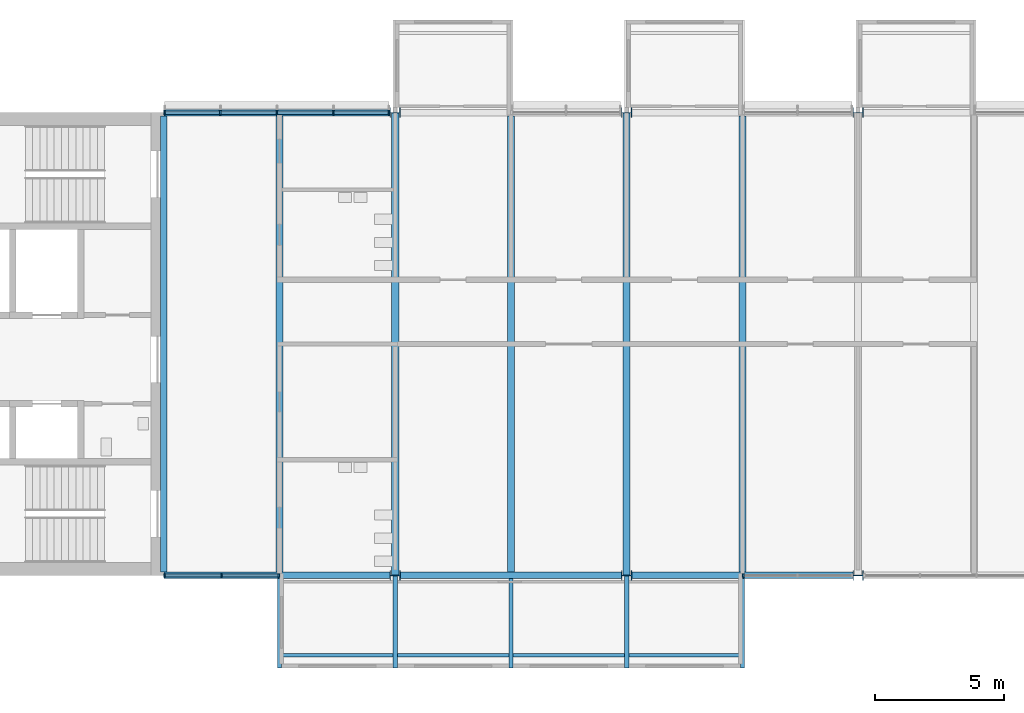
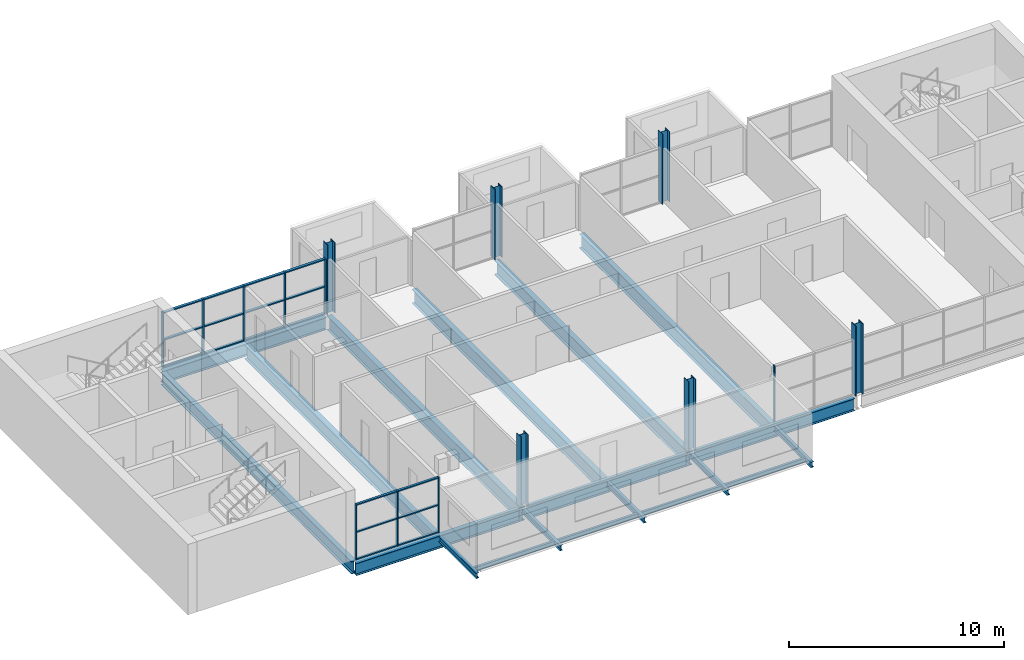
# One storey, part 1 of 11: 27 members, 19 beams, 6 columns, 3 elements without a shape of their own.
"""IFC4 building model written with IfcOpenShell, lengths in metres."""

from ifc_helpers import new_model, si_unit, direction, frame, origin, origin_2d, place, context, subcontext, project, spatial, rectangle, i_section, extrude, material, layer, layer_set, material_profile, profile_set, type_object, element, aggregate, save


model = new_model("IFC4")

# Units and contexts
model_context = context("Model", 3, precision=1e-05, world=origin(), true_north=direction((0.0, 1.0)))
body_context = subcontext(model_context, "Body", "Model", "MODEL_VIEW")
ifc_project = project(units=[si_unit("LENGTHUNIT", "METRE"), si_unit("AREAUNIT", "SQUARE_METRE"), si_unit("VOLUMEUNIT", "CUBIC_METRE"), si_unit("PLANEANGLEUNIT", "RADIAN"), si_unit("MASSUNIT", "GRAM", prefix="KILO")], contexts=[model_context])

# Site, building, storey
site_placement = place(None, origin())
site = spatial("IfcSite", under=ifc_project, at=site_placement, CompositionType="ELEMENT")
building_placement = place(site_placement, origin())
building = spatial("IfcBuilding", under=site, at=building_placement, Name="Corbel Yard City Hall", CompositionType="ELEMENT")
storey_placement = place(building_placement, frame((0.0, 0.0, 39.199951171875)))
storey = spatial("IfcBuildingStorey", under=building, at=storey_placement, Name="L09", CompositionType="ELEMENT", Elevation=39.199951171875)

# Columns
ifc_material_1 = material(Name="Steel Grade 350", Category="steel")
ifc_material_profile_1 = material_profile(ifc_material_1, i_section(OverallWidth=0.39990234375, OverallDepth=0.4140625, WebThickness=0.02490234375, FlangeThickness=0.031982421875, at=origin_2d()), Name="400WC270")
ifc_profile_set_1 = profile_set([ifc_material_profile_1], Name="Steel Grade 350")
column_type = type_object("IfcColumnType", Name="Column 400WC270", PredefinedType="COLUMN", material=ifc_profile_set_1)
for number, where, z_axis, x_axis, name in (
    (1, (18.0, 99.0, 0.0), (0.0, 0.0, 1.0), (0.0, 1.0, 0.0), "Column 400WC270 L/3 L09"),
    (2, (18.0, 117.0, 0.0), (0.0, 0.0, 1.0), (0.0, 1.0, 0.0), "Column 400WC270 N/3 L09"),
    (3, (27.0, 99.0, 0.0), (0.0, 0.0, 1.0), (0.0, 1.0, 0.0), "Column 400WC270 L/4 L09"),
    (4, (27.0, 117.0, 0.0), (0.0, 0.0, 1.0), (0.0, 1.0, 0.0), "Column 400WC270 N/4 L09"),
    (5, (36.0, 99.0, 0.0), (0.0, 0.0, 1.0), (0.0, 1.0, 0.0), "Column 400WC270 L/5 L09"),
    (6, (36.0, 117.0, 0.0), (0.0, 0.0, 1.0), (0.0, 1.0, 0.0), "Column 400WC270 N/5 L09"),
):
    element("IfcColumn", number, at=place(storey_placement, frame(where, z_axis=z_axis, x_axis=x_axis)), inside=storey, type_object=column_type, Name=name, PredefinedType="COLUMN", context=body_context, shape_type="SweptSolid", body=[
        extrude(i_section(OverallWidth=0.39990234375, OverallDepth=0.4140625, WebThickness=0.02490234375, FlangeThickness=0.031982421875, at=origin_2d()), origin(), (0.0, 0.0, 1.0), 4.0),
    ])

# Beams
ifc_material_profile_2 = material_profile(ifc_material_1, i_section(OverallWidth=0.25, OverallDepth=0.699951171875, WebThickness=0.010009765625, FlangeThickness=0.02001953125, at=origin_2d()), Name="700WB130")
ifc_profile_set_2 = profile_set([ifc_material_profile_2], Name="Steel Grade 350")
beam_type_1 = type_object("IfcBeamType", Name="Edge beam 700WB130", PredefinedType="BEAM", material=ifc_profile_set_2)
beam_1_placement = place(storey_placement, frame((9.0, 99.0, -0.5), z_axis=(1.0, 0.0, 0.0), x_axis=(0.0, 1.0, 0.0)))
element("IfcBeam", 7, at=beam_1_placement, inside=storey, type_object=beam_type_1, Name="Edge beam 700WB130 EB9 L09tower", PredefinedType="BEAM", context=body_context, shape_type="SweptSolid", body=[
    extrude(i_section(OverallWidth=0.25, OverallDepth=0.699951171875, WebThickness=0.010009765625, FlangeThickness=0.02001953125, at=origin_2d()), origin(), (0.0, 0.0, 1.0), 8.79296875),
])
for number, where, z_axis, x_axis, name in (
    (8, (18.20703125, 99.0, -0.5), (1.0, 0.0, 0.0), (0.0, 1.0, 0.0), "Edge beam 700WB130 EB9 L09tower"),
    (9, (27.20703125, 99.0, -0.5), (1.0, 0.0, 0.0), (0.0, 1.0, 0.0), "Edge beam 700WB130 EB9 L09tower"),
):
    element("IfcBeam", number, at=place(storey_placement, frame(where, z_axis=z_axis, x_axis=x_axis)), inside=storey, type_object=beam_type_1, Name=name, PredefinedType="BEAM", context=body_context, shape_type="SweptSolid", body=[
        extrude(i_section(OverallWidth=0.25, OverallDepth=0.699951171875, WebThickness=0.010009765625, FlangeThickness=0.02001953125, at=origin_2d()), origin(), (0.0, 0.0, 1.0), 8.5859375),
    ])
beam_2_placement = place(storey_placement, frame((9.0, 117.0, -0.5), z_axis=(1.0, 0.0, 0.0), x_axis=(0.0, 1.0, 0.0)))
element("IfcBeam", 10, at=beam_2_placement, inside=storey, type_object=beam_type_1, Name="Edge beam 700WB130 EB9 L09tower", PredefinedType="BEAM", context=body_context, shape_type="SweptSolid", body=[
    extrude(i_section(OverallWidth=0.25, OverallDepth=0.699951171875, WebThickness=0.010009765625, FlangeThickness=0.02001953125, at=origin_2d()), origin(), (0.0, 0.0, 1.0), 8.79296875),
])
ifc_material_profile_3 = material_profile(ifc_material_1, i_section(OverallWidth=0.27490234375, OverallDepth=0.800048828125, WebThickness=0.010009765625, FlangeThickness=0.02001953125, at=origin_2d()), Name="800WB146")
ifc_profile_set_3 = profile_set([ifc_material_profile_3], Name="Steel Grade 350")
beam_type_2 = type_object("IfcBeamType", Name="Long-span beam 800WB146", PredefinedType="BEAM", material=ifc_profile_set_3)
for number, where, z_axis, x_axis, name in (
    (11, (18.0, 99.012451171875, -0.550048828125), (0.0, 1.0, 0.0), (-1.0, 0.0, 0.0), "Long-span beam 800WB146 SB8 L09tower"),
    (12, (27.0, 99.012451171875, -0.550048828125), (0.0, 1.0, 0.0), (-1.0, 0.0, 0.0), "Long-span beam 800WB146 SB8 L09tower"),
):
    element("IfcBeam", number, at=place(storey_placement, frame(where, z_axis=z_axis, x_axis=x_axis)), inside=storey, type_object=beam_type_2, Name=name, PredefinedType="BEAM", context=body_context, shape_type="SweptSolid", body=[
        extrude(i_section(OverallWidth=0.27490234375, OverallDepth=0.800048828125, WebThickness=0.010009765625, FlangeThickness=0.02001953125, at=origin_2d()), origin(), (0.0, 0.0, 1.0), 17.97509765625),
    ])
ifc_material_profile_4 = material_profile(ifc_material_1, i_section(OverallWidth=0.25, OverallDepth=0.7099609375, WebThickness=0.010009765625, FlangeThickness=0.02490234375, at=origin_2d()), Name="700WB150")
ifc_profile_set_4 = profile_set([ifc_material_profile_4], Name="Steel Grade 350")
beam_type_3 = type_object("IfcBeamType", Name="Long-span edge beam 700WB150", PredefinedType="BEAM", material=ifc_profile_set_4)
beam_3_placement = place(storey_placement, frame((9.0, 99.125, -0.5048828125), z_axis=(0.0, 1.0, 0.0), x_axis=(-1.0, 0.0, 0.0)))
element("IfcBeam", 13, at=beam_3_placement, inside=storey, type_object=beam_type_3, Name="Long-span edge beam 700WB150 EB8 L09tower", PredefinedType="BEAM", context=body_context, shape_type="SweptSolid", body=[
    extrude(i_section(OverallWidth=0.25, OverallDepth=0.7099609375, WebThickness=0.010009765625, FlangeThickness=0.02490234375, at=origin_2d()), origin(), (0.0, 0.0, 1.0), 17.75),
])
ifc_material_profile_5 = material_profile(ifc_material_1, i_section(OverallWidth=0.27490234375, OverallDepth=0.800048828125, WebThickness=0.010009765625, FlangeThickness=0.02001953125, at=origin_2d()), Name="800WB146")
ifc_profile_set_5 = profile_set([ifc_material_profile_5], Name="Steel Grade 350")
beam_type_4 = type_object("IfcBeamType", Name="Long-span secondary beam 800WB146", PredefinedType="JOIST", material=ifc_profile_set_5)
for number, where, z_axis, x_axis, name in (
    (14, (13.5, 99.125, -0.550048828125), (0.0, 1.0, 0.0), (-1.0, 0.0, 0.0), "Long-span secondary beam 800WB146 SB7 L09tower"),
    (15, (22.5, 99.125, -0.550048828125), (0.0, 1.0, 0.0), (-1.0, 0.0, 0.0), "Long-span secondary beam 800WB146 SB7 L09tower"),
    (16, (31.5, 99.125, -0.550048828125), (0.0, 1.0, 0.0), (-1.0, 0.0, 0.0), "Long-span secondary beam 800WB146 SB7 L09tower"),
):
    element("IfcBeam", number, at=place(storey_placement, frame(where, z_axis=z_axis, x_axis=x_axis)), inside=storey, type_object=beam_type_4, Name=name, PredefinedType="JOIST", context=body_context, shape_type="SweptSolid", body=[
        extrude(i_section(OverallWidth=0.27490234375, OverallDepth=0.800048828125, WebThickness=0.010009765625, FlangeThickness=0.02001953125, at=origin_2d()), origin(), (0.0, 0.0, 1.0), 17.75),
    ])

# Curtain wall, members
ifc_material_2 = material(Name="Aluminium extrusion", Category="aluminium")
ifc_layer_1 = layer(ifc_material_2, 0.14990234375)
ifc_layer_set_1 = layer_set([ifc_layer_1], Name="Aluminium extrusion")
curtain_wall_type_1 = type_object("IfcCurtainWallType", Name="CW2", PredefinedType="USERDEFINED", material=ifc_layer_set_1)
curtain_wall_1_placement = place(storey_placement, origin())
curtain_wall_1 = element("IfcCurtainWall", 17, at=curtain_wall_1_placement, inside=storey, type_object=curtain_wall_type_1, Name="Curtain wall CW2 L09", ObjectType="CURTAIN WALL", PredefinedType="USERDEFINED")
ifc_material_profile_6 = material_profile(ifc_material_2, rectangle(XDim=0.14990234375, YDim=0.06494140625, at=origin_2d()), Name="150x65")
ifc_profile_set_6 = profile_set([ifc_material_profile_6], Name="Aluminium extrusion")
member_type_1 = type_object("IfcMemberType", Name="ML2", PredefinedType="MULLION", material=ifc_profile_set_6)
member_1_placement = place(storey_placement, frame((9.032470703125, 99.0, 0.0), z_axis=(0.0, 0.0, 1.0), x_axis=(0.0, 1.0, 0.0)))
member_1 = element("IfcMember", 18, at=member_1_placement, type_object=member_type_1, Name="CW2 mullion 1", PredefinedType="MULLION", context=body_context, shape_type="SweptSolid", body=[
    extrude(rectangle(XDim=0.14990234375, YDim=0.06494140625, at=origin_2d()), origin(), (0.0, 0.0, 1.0), 3.150146484375),
])
member_2_placement = place(storey_placement, frame((11.25, 99.0, 0.0), z_axis=(0.0, 0.0, 1.0), x_axis=(0.0, 1.0, 0.0)))
member_2 = element("IfcMember", 19, at=member_2_placement, type_object=member_type_1, Name="CW2 mullion 2", PredefinedType="MULLION", context=body_context, shape_type="SweptSolid", body=[
    extrude(rectangle(XDim=0.14990234375, YDim=0.06494140625, at=origin_2d()), origin(), (0.0, 0.0, 1.0), 3.150146484375),
])
member_3_placement = place(storey_placement, frame((13.467529296875, 99.0, 0.0), z_axis=(0.0, 0.0, 1.0), x_axis=(0.0, 1.0, 0.0)))
member_3 = element("IfcMember", 20, at=member_3_placement, type_object=member_type_1, Name="CW2 mullion 3", PredefinedType="MULLION", context=body_context, shape_type="SweptSolid", body=[
    extrude(rectangle(XDim=0.14990234375, YDim=0.06494140625, at=origin_2d()), origin(), (0.0, 0.0, 1.0), 3.150146484375),
])

# Curtain wall, member
curtain_wall_2_placement = place(storey_placement, origin())
curtain_wall_2 = element("IfcCurtainWall", 21, at=curtain_wall_2_placement, inside=storey, type_object=curtain_wall_type_1, Name="Curtain wall CW2 L09", ObjectType="CURTAIN WALL", PredefinedType="USERDEFINED")
member_4_placement = place(storey_placement, frame((31.532470703125, 99.0, 0.0), z_axis=(0.0, 0.0, 1.0), x_axis=(0.0, 1.0, 0.0)))
member_4 = element("IfcMember", 22, at=member_4_placement, type_object=member_type_1, Name="CW2 mullion 1", PredefinedType="MULLION", context=body_context, shape_type="SweptSolid", body=[
    extrude(rectangle(XDim=0.14990234375, YDim=0.06494140625, at=origin_2d()), origin(), (0.0, 0.0, 1.0), 3.150146484375),
])
aggregate(curtain_wall_2, [member_4])

# Curtain wall, members
ifc_layer_2 = layer(ifc_material_2, 0.179931640625)
ifc_layer_set_2 = layer_set([ifc_layer_2], Name="Aluminium extrusion")
curtain_wall_type_2 = type_object("IfcCurtainWallType", Name="CW6", PredefinedType="USERDEFINED", material=ifc_layer_set_2)
curtain_wall_3_placement = place(storey_placement, origin())
curtain_wall_3 = element("IfcCurtainWall", 23, at=curtain_wall_3_placement, inside=storey, type_object=curtain_wall_type_2, Name="Curtain wall CW6 L09", ObjectType="CURTAIN WALL", PredefinedType="USERDEFINED")
ifc_material_profile_7 = material_profile(ifc_material_2, rectangle(XDim=0.179931640625, YDim=0.06494140625, at=origin_2d()), Name="180x65")
ifc_profile_set_7 = profile_set([ifc_material_profile_7], Name="Aluminium extrusion")
member_type_2 = type_object("IfcMemberType", Name="ML6", PredefinedType="MULLION", material=ifc_profile_set_7)
member_5_placement = place(storey_placement, frame((9.032470703125, 117.0, 0.0), z_axis=(0.0, 0.0, 1.0), x_axis=(0.0, 1.0, 0.0)))
member_5 = element("IfcMember", 24, at=member_5_placement, type_object=member_type_2, Name="CW6 mullion 1", PredefinedType="MULLION", context=body_context, shape_type="SweptSolid", body=[
    extrude(rectangle(XDim=0.179931640625, YDim=0.06494140625, at=origin_2d()), origin(), (0.0, 0.0, 1.0), 3.150146484375),
])
member_6_placement = place(storey_placement, frame((11.1982421875, 117.0, 0.0), z_axis=(0.0, 0.0, 1.0), x_axis=(0.0, 1.0, 0.0)))
member_6 = element("IfcMember", 25, at=member_6_placement, type_object=member_type_2, Name="CW6 mullion 2", PredefinedType="MULLION", context=body_context, shape_type="SweptSolid", body=[
    extrude(rectangle(XDim=0.179931640625, YDim=0.06494140625, at=origin_2d()), origin(), (0.0, 0.0, 1.0), 3.150146484375),
])
member_7_placement = place(storey_placement, frame((13.396484375, 117.0, 0.0), z_axis=(0.0, 0.0, 1.0), x_axis=(0.0, 1.0, 0.0)))
member_7 = element("IfcMember", 26, at=member_7_placement, type_object=member_type_2, Name="CW6 mullion 3", PredefinedType="MULLION", context=body_context, shape_type="SweptSolid", body=[
    extrude(rectangle(XDim=0.179931640625, YDim=0.06494140625, at=origin_2d()), origin(), (0.0, 0.0, 1.0), 3.150146484375),
])
member_8_placement = place(storey_placement, frame((15.5947265625, 117.0, 0.0), z_axis=(0.0, 0.0, 1.0), x_axis=(0.0, 1.0, 0.0)))
member_8 = element("IfcMember", 27, at=member_8_placement, type_object=member_type_2, Name="CW6 mullion 4", PredefinedType="MULLION", context=body_context, shape_type="SweptSolid", body=[
    extrude(rectangle(XDim=0.179931640625, YDim=0.06494140625, at=origin_2d()), origin(), (0.0, 0.0, 1.0), 3.150146484375),
])
member_9_placement = place(storey_placement, frame((17.760498046875, 117.0, 0.0), z_axis=(0.0, 0.0, 1.0), x_axis=(0.0, 1.0, 0.0)))
member_9 = element("IfcMember", 28, at=member_9_placement, type_object=member_type_2, Name="CW6 mullion 5", PredefinedType="MULLION", context=body_context, shape_type="SweptSolid", body=[
    extrude(rectangle(XDim=0.179931640625, YDim=0.06494140625, at=origin_2d()), origin(), (0.0, 0.0, 1.0), 3.150146484375),
])

# Beams
ifc_material_3 = material(Name="Steel Grade 300 (300 MPa yield)", Category="steel")
ifc_material_profile_8 = material_profile(ifc_material_3, i_section(OverallWidth=0.166015625, OverallDepth=0.306884765625, WebThickness=0.006591796875, FlangeThickness=0.01171875, at=origin_2d()), Name="310UB46.2")
ifc_profile_set_8 = profile_set([ifc_material_profile_8], Name="Steel Grade 300 (300 MPa yield)")
beam_type_5 = type_object("IfcBeamType", Name="Pod stub beam 310UB46.2", PredefinedType="BEAM", material=ifc_profile_set_8)
beam_4_placement = place(storey_placement, frame((13.5, 95.39990234375, -0.303466796875), z_axis=(0.0, 1.0, 0.0), x_axis=(-1.0, 0.0, 0.0)))
element("IfcBeam", 29, at=beam_4_placement, inside=storey, type_object=beam_type_5, Name="Pod stub 310UB46.2 CB1 L09", PredefinedType="BEAM", context=body_context, shape_type="SweptSolid", body=[
    extrude(i_section(OverallWidth=0.166015625, OverallDepth=0.306884765625, WebThickness=0.006591796875, FlangeThickness=0.01171875, at=origin_2d()), origin(), (0.0, 0.0, 1.0), 3.47509765625),
])
beam_5_placement = place(storey_placement, frame((18.0, 95.39990234375, -0.303466796875), z_axis=(0.0, 1.0, 0.0), x_axis=(-1.0, 0.0, 0.0)))
element("IfcBeam", 30, at=beam_5_placement, inside=storey, type_object=beam_type_5, Name="Pod stub 310UB46.2 CB1 L09", PredefinedType="BEAM", context=body_context, shape_type="SweptSolid", body=[
    extrude(i_section(OverallWidth=0.166015625, OverallDepth=0.306884765625, WebThickness=0.006591796875, FlangeThickness=0.01171875, at=origin_2d()), origin(), (0.0, 0.0, 1.0), 3.587646484375),
])
beam_6_placement = place(storey_placement, frame((22.5, 95.39990234375, -0.303466796875), z_axis=(0.0, 1.0, 0.0), x_axis=(-1.0, 0.0, 0.0)))
element("IfcBeam", 31, at=beam_6_placement, inside=storey, type_object=beam_type_5, Name="Pod stub 310UB46.2 CB1 L09", PredefinedType="BEAM", context=body_context, shape_type="SweptSolid", body=[
    extrude(i_section(OverallWidth=0.166015625, OverallDepth=0.306884765625, WebThickness=0.006591796875, FlangeThickness=0.01171875, at=origin_2d()), origin(), (0.0, 0.0, 1.0), 3.47509765625),
])
beam_7_placement = place(storey_placement, frame((27.0, 95.39990234375, -0.303466796875), z_axis=(0.0, 1.0, 0.0), x_axis=(-1.0, 0.0, 0.0)))
element("IfcBeam", 32, at=beam_7_placement, inside=storey, type_object=beam_type_5, Name="Pod stub 310UB46.2 CB1 L09", PredefinedType="BEAM", context=body_context, shape_type="SweptSolid", body=[
    extrude(i_section(OverallWidth=0.166015625, OverallDepth=0.306884765625, WebThickness=0.006591796875, FlangeThickness=0.01171875, at=origin_2d()), origin(), (0.0, 0.0, 1.0), 3.587646484375),
])
beam_8_placement = place(storey_placement, frame((31.5, 95.39990234375, -0.303466796875), z_axis=(0.0, 1.0, 0.0), x_axis=(-1.0, 0.0, 0.0)))
element("IfcBeam", 33, at=beam_8_placement, inside=storey, type_object=beam_type_5, Name="Pod stub 310UB46.2 CB1 L09", PredefinedType="BEAM", context=body_context, shape_type="SweptSolid", body=[
    extrude(i_section(OverallWidth=0.166015625, OverallDepth=0.306884765625, WebThickness=0.006591796875, FlangeThickness=0.01171875, at=origin_2d()), origin(), (0.0, 0.0, 1.0), 3.47509765625),
])
ifc_material_profile_9 = material_profile(ifc_material_3, i_section(OverallWidth=0.1240234375, OverallDepth=0.248046875, WebThickness=0.0048828125, FlangeThickness=0.008056640625, at=origin_2d()), Name="250UB25.7")
ifc_profile_set_9 = profile_set([ifc_material_profile_9], Name="Steel Grade 300 (300 MPa yield)")
beam_type_6 = type_object("IfcBeamType", Name="Pod tip beam", PredefinedType="BEAM", material=ifc_profile_set_9)
for number, where, z_axis, x_axis, name in (
    (34, (13.5830078125, 95.89990234375, -0.27392578125), (1.0, 0.0, 0.0), (0.0, 1.0, 0.0), "Pod tip beam"),
    (35, (18.0830078125, 95.89990234375, -0.27392578125), (1.0, 0.0, 0.0), (0.0, 1.0, 0.0), "Pod tip beam"),
    (36, (22.5830078125, 95.89990234375, -0.27392578125), (1.0, 0.0, 0.0), (0.0, 1.0, 0.0), "Pod tip beam"),
    (37, (27.0830078125, 95.89990234375, -0.27392578125), (1.0, 0.0, 0.0), (0.0, 1.0, 0.0), "Pod tip beam"),
):
    element("IfcBeam", number, at=place(storey_placement, frame(where, z_axis=z_axis, x_axis=x_axis)), inside=storey, type_object=beam_type_6, Name=name, PredefinedType="BEAM", context=body_context, shape_type="SweptSolid", body=[
        extrude(i_section(OverallWidth=0.1240234375, OverallDepth=0.248046875, WebThickness=0.0048828125, FlangeThickness=0.008056640625, at=origin_2d()), origin(), (0.0, 0.0, 1.0), 4.333984375),
    ])

# Member
ifc_material_profile_10 = material_profile(ifc_material_2, rectangle(XDim=0.1201171875, YDim=0.06494140625, at=origin_2d()), Name="120x65")
ifc_profile_set_10 = profile_set([ifc_material_profile_10], Name="Aluminium extrusion")
member_type_3 = type_object("IfcMemberType", Name="TR2", PredefinedType="USERDEFINED", material=ifc_profile_set_10)
member_10_placement = place(storey_placement, frame((9.06494140625, 99.0, 0.032470703125), z_axis=(1.0, 0.0, 0.0), x_axis=(0.0, 1.0, 0.0)))
member_10 = element("IfcMember", 38, at=member_10_placement, type_object=member_type_3, Name="CW2 transom 1.1", ObjectType="TRANSOM", PredefinedType="USERDEFINED", context=body_context, shape_type="SweptSolid", body=[
    extrude(rectangle(XDim=0.1201171875, YDim=0.06494140625, at=origin_2d()), origin(), (0.0, 0.0, 1.0), 2.152587890625),
])

member_11_placement = place(storey_placement, frame((9.06494140625, 99.0, 1.574951171875), z_axis=(1.0, 0.0, 0.0), x_axis=(0.0, 1.0, 0.0)))
member_11 = element("IfcMember", 39, at=member_11_placement, type_object=member_type_3, Name="CW2 transom 1.2", ObjectType="TRANSOM", PredefinedType="USERDEFINED", context=body_context, shape_type="SweptSolid", body=[
    extrude(rectangle(XDim=0.1201171875, YDim=0.06494140625, at=origin_2d()), origin(), (0.0, 0.0, 1.0), 2.152587890625),
])

member_12_placement = place(storey_placement, frame((9.06494140625, 99.0, 3.117431640625), z_axis=(1.0, 0.0, 0.0), x_axis=(0.0, 1.0, 0.0)))
member_12 = element("IfcMember", 40, at=member_12_placement, type_object=member_type_3, Name="CW2 transom 1.3", ObjectType="TRANSOM", PredefinedType="USERDEFINED", context=body_context, shape_type="SweptSolid", body=[
    extrude(rectangle(XDim=0.1201171875, YDim=0.06494140625, at=origin_2d()), origin(), (0.0, 0.0, 1.0), 2.152587890625),
])

member_13_placement = place(storey_placement, frame((11.282470703125, 99.0, 0.032470703125), z_axis=(1.0, 0.0, 0.0), x_axis=(0.0, 1.0, 0.0)))
member_13 = element("IfcMember", 41, at=member_13_placement, type_object=member_type_3, Name="CW2 transom 2.1", ObjectType="TRANSOM", PredefinedType="USERDEFINED", context=body_context, shape_type="SweptSolid", body=[
    extrude(rectangle(XDim=0.1201171875, YDim=0.06494140625, at=origin_2d()), origin(), (0.0, 0.0, 1.0), 2.152587890625),
])

member_14_placement = place(storey_placement, frame((11.282470703125, 99.0, 1.574951171875), z_axis=(1.0, 0.0, 0.0), x_axis=(0.0, 1.0, 0.0)))
member_14 = element("IfcMember", 42, at=member_14_placement, type_object=member_type_3, Name="CW2 transom 2.2", ObjectType="TRANSOM", PredefinedType="USERDEFINED", context=body_context, shape_type="SweptSolid", body=[
    extrude(rectangle(XDim=0.1201171875, YDim=0.06494140625, at=origin_2d()), origin(), (0.0, 0.0, 1.0), 2.152587890625),
])

member_15_placement = place(storey_placement, frame((11.282470703125, 99.0, 3.117431640625), z_axis=(1.0, 0.0, 0.0), x_axis=(0.0, 1.0, 0.0)))
member_15 = element("IfcMember", 43, at=member_15_placement, type_object=member_type_3, Name="CW2 transom 2.3", ObjectType="TRANSOM", PredefinedType="USERDEFINED", context=body_context, shape_type="SweptSolid", body=[
    extrude(rectangle(XDim=0.1201171875, YDim=0.06494140625, at=origin_2d()), origin(), (0.0, 0.0, 1.0), 2.152587890625),
])

aggregate(curtain_wall_1, [member_1, member_2, member_3, member_10, member_11, member_12, member_13, member_14, member_15])

ifc_material_profile_11 = material_profile(ifc_material_2, rectangle(XDim=0.139892578125, YDim=0.06494140625, at=origin_2d()), Name="140x65")
ifc_profile_set_11 = profile_set([ifc_material_profile_11], Name="Aluminium extrusion")
member_type_4 = type_object("IfcMemberType", Name="TR6", PredefinedType="USERDEFINED", material=ifc_profile_set_11)
member_16_placement = place(storey_placement, frame((9.06494140625, 117.0, 0.032470703125), z_axis=(1.0, 0.0, 0.0), x_axis=(0.0, 1.0, 0.0)))
member_16 = element("IfcMember", 44, at=member_16_placement, type_object=member_type_4, Name="CW6 transom 1.1", ObjectType="TRANSOM", PredefinedType="USERDEFINED", context=body_context, shape_type="SweptSolid", body=[
    extrude(rectangle(XDim=0.139892578125, YDim=0.06494140625, at=origin_2d()), origin(), (0.0, 0.0, 1.0), 2.100830078125),
])

member_17_placement = place(storey_placement, frame((9.06494140625, 117.0, 1.574951171875), z_axis=(1.0, 0.0, 0.0), x_axis=(0.0, 1.0, 0.0)))
member_17 = element("IfcMember", 45, at=member_17_placement, type_object=member_type_4, Name="CW6 transom 1.2", ObjectType="TRANSOM", PredefinedType="USERDEFINED", context=body_context, shape_type="SweptSolid", body=[
    extrude(rectangle(XDim=0.139892578125, YDim=0.06494140625, at=origin_2d()), origin(), (0.0, 0.0, 1.0), 2.100830078125),
])

member_18_placement = place(storey_placement, frame((9.06494140625, 117.0, 3.117431640625), z_axis=(1.0, 0.0, 0.0), x_axis=(0.0, 1.0, 0.0)))
member_18 = element("IfcMember", 46, at=member_18_placement, type_object=member_type_4, Name="CW6 transom 1.3", ObjectType="TRANSOM", PredefinedType="USERDEFINED", context=body_context, shape_type="SweptSolid", body=[
    extrude(rectangle(XDim=0.139892578125, YDim=0.06494140625, at=origin_2d()), origin(), (0.0, 0.0, 1.0), 2.100830078125),
])

member_19_placement = place(storey_placement, frame((11.230712890625, 117.0, 0.032470703125), z_axis=(1.0, 0.0, 0.0), x_axis=(0.0, 1.0, 0.0)))
member_19 = element("IfcMember", 47, at=member_19_placement, type_object=member_type_4, Name="CW6 transom 2.1", ObjectType="TRANSOM", PredefinedType="USERDEFINED", context=body_context, shape_type="SweptSolid", body=[
    extrude(rectangle(XDim=0.139892578125, YDim=0.06494140625, at=origin_2d()), origin(), (0.0, 0.0, 1.0), 2.13330078125),
])

member_20_placement = place(storey_placement, frame((11.230712890625, 117.0, 1.574951171875), z_axis=(1.0, 0.0, 0.0), x_axis=(0.0, 1.0, 0.0)))
member_20 = element("IfcMember", 48, at=member_20_placement, type_object=member_type_4, Name="CW6 transom 2.2", ObjectType="TRANSOM", PredefinedType="USERDEFINED", context=body_context, shape_type="SweptSolid", body=[
    extrude(rectangle(XDim=0.139892578125, YDim=0.06494140625, at=origin_2d()), origin(), (0.0, 0.0, 1.0), 2.13330078125),
])

member_21_placement = place(storey_placement, frame((11.230712890625, 117.0, 3.117431640625), z_axis=(1.0, 0.0, 0.0), x_axis=(0.0, 1.0, 0.0)))
member_21 = element("IfcMember", 49, at=member_21_placement, type_object=member_type_4, Name="CW6 transom 2.3", ObjectType="TRANSOM", PredefinedType="USERDEFINED", context=body_context, shape_type="SweptSolid", body=[
    extrude(rectangle(XDim=0.139892578125, YDim=0.06494140625, at=origin_2d()), origin(), (0.0, 0.0, 1.0), 2.13330078125),
])

member_22_placement = place(storey_placement, frame((13.428955078125, 117.0, 0.032470703125), z_axis=(1.0, 0.0, 0.0), x_axis=(0.0, 1.0, 0.0)))
member_22 = element("IfcMember", 50, at=member_22_placement, type_object=member_type_4, Name="CW6 transom 3.1", ObjectType="TRANSOM", PredefinedType="USERDEFINED", context=body_context, shape_type="SweptSolid", body=[
    extrude(rectangle(XDim=0.139892578125, YDim=0.06494140625, at=origin_2d()), origin(), (0.0, 0.0, 1.0), 2.13330078125),
])

member_23_placement = place(storey_placement, frame((13.428955078125, 117.0, 1.574951171875), z_axis=(1.0, 0.0, 0.0), x_axis=(0.0, 1.0, 0.0)))
member_23 = element("IfcMember", 51, at=member_23_placement, type_object=member_type_4, Name="CW6 transom 3.2", ObjectType="TRANSOM", PredefinedType="USERDEFINED", context=body_context, shape_type="SweptSolid", body=[
    extrude(rectangle(XDim=0.139892578125, YDim=0.06494140625, at=origin_2d()), origin(), (0.0, 0.0, 1.0), 2.13330078125),
])

member_24_placement = place(storey_placement, frame((13.428955078125, 117.0, 3.117431640625), z_axis=(1.0, 0.0, 0.0), x_axis=(0.0, 1.0, 0.0)))
member_24 = element("IfcMember", 52, at=member_24_placement, type_object=member_type_4, Name="CW6 transom 3.3", ObjectType="TRANSOM", PredefinedType="USERDEFINED", context=body_context, shape_type="SweptSolid", body=[
    extrude(rectangle(XDim=0.139892578125, YDim=0.06494140625, at=origin_2d()), origin(), (0.0, 0.0, 1.0), 2.13330078125),
])

member_25_placement = place(storey_placement, frame((15.627197265625, 117.0, 0.032470703125), z_axis=(1.0, 0.0, 0.0), x_axis=(0.0, 1.0, 0.0)))
member_25 = element("IfcMember", 53, at=member_25_placement, type_object=member_type_4, Name="CW6 transom 4.1", ObjectType="TRANSOM", PredefinedType="USERDEFINED", context=body_context, shape_type="SweptSolid", body=[
    extrude(rectangle(XDim=0.139892578125, YDim=0.06494140625, at=origin_2d()), origin(), (0.0, 0.0, 1.0), 2.100830078125),
])

member_26_placement = place(storey_placement, frame((15.627197265625, 117.0, 1.574951171875), z_axis=(1.0, 0.0, 0.0), x_axis=(0.0, 1.0, 0.0)))
member_26 = element("IfcMember", 54, at=member_26_placement, type_object=member_type_4, Name="CW6 transom 4.2", ObjectType="TRANSOM", PredefinedType="USERDEFINED", context=body_context, shape_type="SweptSolid", body=[
    extrude(rectangle(XDim=0.139892578125, YDim=0.06494140625, at=origin_2d()), origin(), (0.0, 0.0, 1.0), 2.100830078125),
])

member_27_placement = place(storey_placement, frame((15.627197265625, 117.0, 3.117431640625), z_axis=(1.0, 0.0, 0.0), x_axis=(0.0, 1.0, 0.0)))
member_27 = element("IfcMember", 55, at=member_27_placement, type_object=member_type_4, Name="CW6 transom 4.3", ObjectType="TRANSOM", PredefinedType="USERDEFINED", context=body_context, shape_type="SweptSolid", body=[
    extrude(rectangle(XDim=0.139892578125, YDim=0.06494140625, at=origin_2d()), origin(), (0.0, 0.0, 1.0), 2.100830078125),
])

aggregate(curtain_wall_3, [member_5, member_6, member_7, member_8, member_9, member_16, member_17, member_18, member_19, member_20, member_21, member_22, member_23, member_24, member_25, member_26, member_27])

save(model, "model.ifc")
